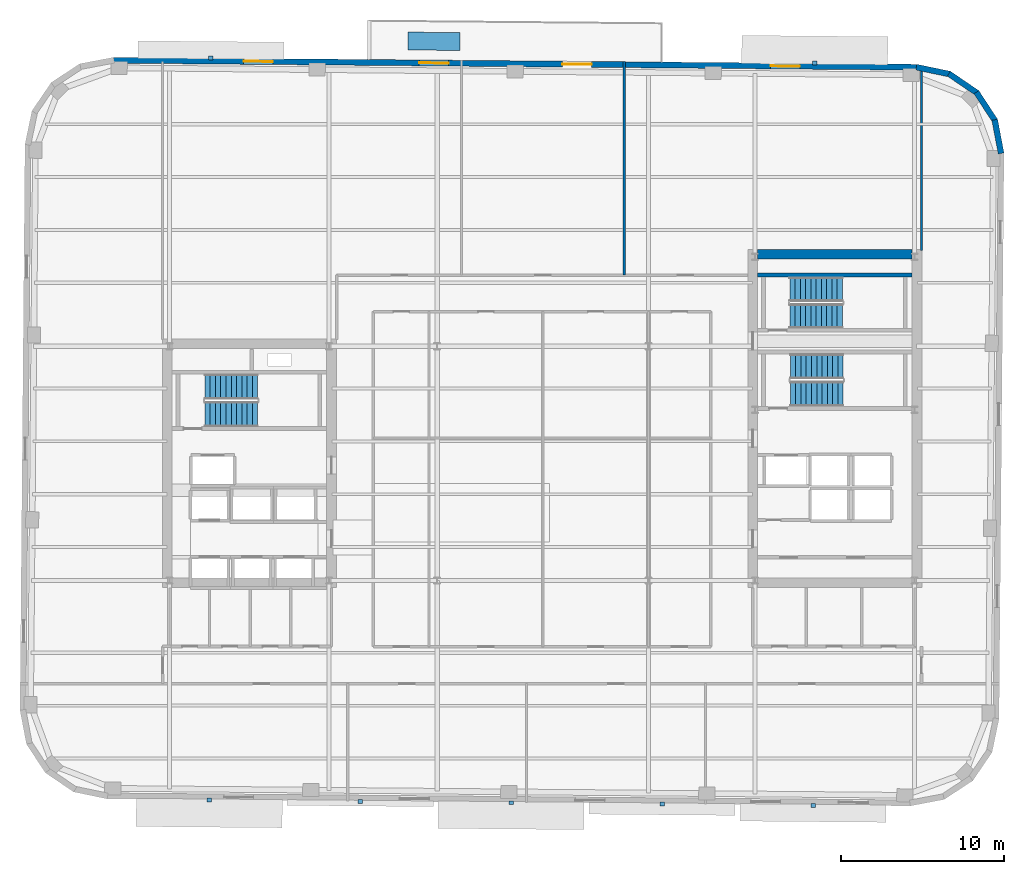
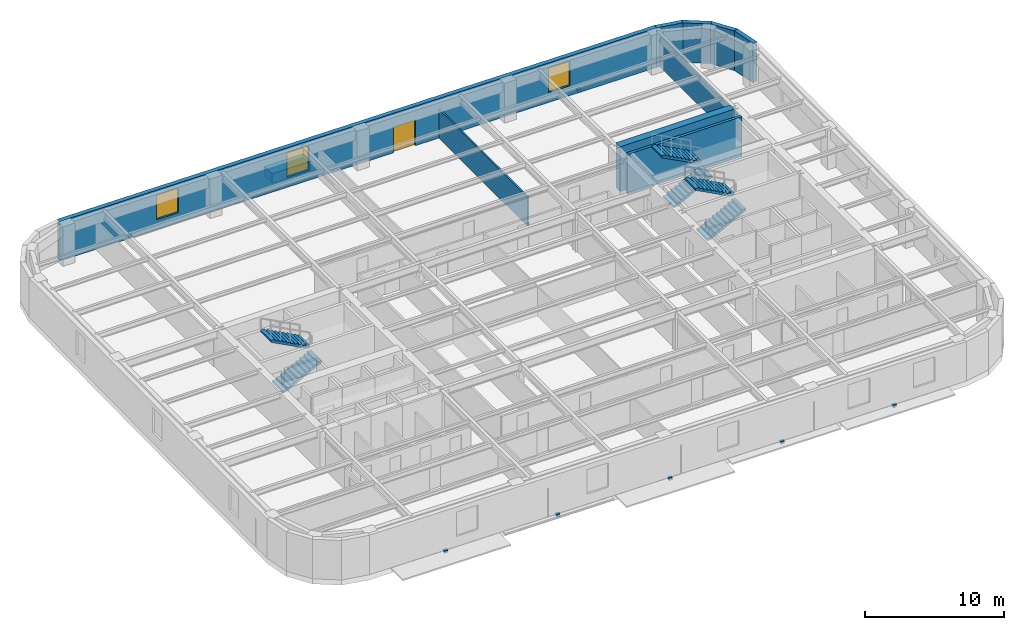
# One storey, part 7 of 11: 9 walls, 8 discrete accessories, 6 stair flights, 3 windows, 1 door, 4 openings, 3 elements without a shape of their own.
"""IFC4 building model written with IfcOpenShell, lengths in metres."""

from ifc_helpers import new_model, si_unit, direction, frame, frame_2d, origin, origin_2d, place, context, subcontext, project, spatial, polyline, rectangle, outline, extrude, material, layer, layer_set, type_object, element, fill, aggregate, save


model = new_model("IFC4")

# Units and contexts
model_context = context("Model", 3, precision=1e-05, world=origin(), true_north=direction((0.0, 1.0)))
body_context = subcontext(model_context, "Body", "Model", "MODEL_VIEW")
ifc_project = project(units=[si_unit("LENGTHUNIT", "METRE"), si_unit("AREAUNIT", "SQUARE_METRE"), si_unit("VOLUMEUNIT", "CUBIC_METRE"), si_unit("PLANEANGLEUNIT", "RADIAN"), si_unit("MASSUNIT", "GRAM", prefix="KILO")], contexts=[model_context])

# Site, building, storey
site_placement = place(None, origin())
site = spatial("IfcSite", under=ifc_project, at=site_placement, CompositionType="ELEMENT")
building_placement = place(site_placement, origin())
building = spatial("IfcBuilding", under=site, at=building_placement, Name="Kolvaren Arena Tower", CompositionType="ELEMENT")
storey_placement = place(building_placement, frame((0.0, 0.0, 158.449951171875)))
storey = spatial("IfcBuildingStorey", under=building, at=storey_placement, Name="L37", CompositionType="ELEMENT", Elevation=158.449951171875)

# Walls
ifc_material_1 = material(Name="Concrete 60 MPa", Category="concrete")
ifc_layer_1 = layer(ifc_material_1, 0.60009765625)
ifc_layer_set_1 = layer_set([ifc_layer_1], Name="Concrete 60 MPa")
wall_type_1 = type_object("IfcWallType", Name="CWALL-600", PredefinedType="SHEAR", material=ifc_layer_set_1)
wall_1_placement = place(storey_placement, frame((50.699951171875, 39.5, -0.449951171875), z_axis=(0.0, 0.0, 1.0), x_axis=(1.0, 0.0, 0.0)))
element("IfcWall", 1, at=wall_1_placement, inside=storey, type_object=wall_type_1, Name="Core Shear Wall EC-NORTH (L37)", PredefinedType="SHEAR", context=body_context, shape_type="SweptSolid", body=[
    extrude(rectangle(XDim=9.5, YDim=0.60009765625, at=frame_2d((4.75, 0.0))), origin(), (0.0, 0.0, 1.0), 3.929931640625),
])
ifc_material_2 = material(Name="Precast concrete C50/60", Category="concrete")
ifc_layer_2 = layer(ifc_material_2, 0.360107421875)
ifc_layer_set_2 = layer_set([ifc_layer_2], Name="Precast concrete C50/60")
wall_type_2 = type_object("IfcWallType", Name="EXT-PIER2", PredefinedType="SOLIDWALL", material=ifc_layer_set_2)
wall_2_placement = place(storey_placement, frame((65.281005859375, 47.773193359375, 0.0), z_axis=(0.0, 0.0, 1.0), x_axis=(0.186435855703, -0.98246713518, 0.0)))
element("IfcWall", 2, at=wall_2_placement, inside=storey, type_object=wall_type_2, Name="Exterior Precast Masonry-Frame Wall (L37)", PredefinedType="SOLIDWALL", context=body_context, shape_type="SweptSolid", body=[
    extrude(rectangle(XDim=2.10693359375, YDim=0.360107421875, at=frame_2d((1.053466796875, 0.0))), origin(), (0.0, 0.0, 1.0), 3.47998046875),
])
wall_3_placement = place(storey_placement, frame((64.152099609375, 49.469970703125, 0.0), z_axis=(0.0, 0.0, 1.0), x_axis=(0.548238722478, -0.83632188969, 0.0)))
element("IfcWall", 3, at=wall_3_placement, inside=storey, type_object=wall_type_2, Name="Exterior Precast Masonry-Frame Wall (L37)", PredefinedType="SOLIDWALL", context=body_context, shape_type="SweptSolid", body=[
    extrude(rectangle(XDim=2.106689453125, YDim=0.360107421875, at=frame_2d((1.05322265625, 0.0))), origin(), (0.0, 0.0, 1.0), 3.47998046875),
])
wall_4_placement = place(storey_placement, frame((62.45947265625, 50.605712890625, 0.0), z_axis=(0.0, 0.0, 1.0), x_axis=(0.826609569219, -0.56277581689, 0.0)))
element("IfcWall", 4, at=wall_4_placement, inside=storey, type_object=wall_type_2, Name="Exterior Precast Masonry-Frame Wall (L37)", PredefinedType="SOLIDWALL", context=body_context, shape_type="SweptSolid", body=[
    extrude(rectangle(XDim=2.10693359375, YDim=0.360107421875, at=frame_2d((1.053466796875, 0.0))), origin(), (0.0, 0.0, 1.0), 3.47998046875),
])
wall_5_placement = place(storey_placement, frame((60.461181640625, 51.00732421875, 0.0), z_axis=(0.0, 0.0, 1.0), x_axis=(0.979059388908, -0.203574833883, 0.0)))
element("IfcWall", 5, at=wall_5_placement, inside=storey, type_object=wall_type_2, Name="Exterior Precast Masonry-Frame Wall (L37)", PredefinedType="SOLIDWALL", context=body_context, shape_type="SweptSolid", body=[
    extrude(rectangle(XDim=2.107177734375, YDim=0.360107421875, at=frame_2d((1.0537109375, 0.0))), origin(), (0.0, 0.0, 1.0), 3.47998046875),
])

# Wall, openings, door, windows
wall_6_placement = place(storey_placement, frame((11.098388671875, 51.434814453125, 0.0), z_axis=(0.0, 0.0, 1.0), x_axis=(0.99996191194, -0.008727810138, 0.0)))
wall_6 = element("IfcWall", 6, at=wall_6_placement, inside=storey, type_object=wall_type_2, Name="Exterior Precast Masonry-Frame Wall (L37)", PredefinedType="SOLIDWALL", context=body_context, shape_type="SweptSolid", body=[
    extrude(rectangle(XDim=49.39990234375, YDim=0.360107421875, at=frame_2d((24.699951171875, 0.0))), origin(), (0.0, 0.0, 1.0), 3.47998046875),
])
opening_1_placement = place(wall_6_placement, frame((27.60009765625, 0.0, 0.0)))
opening_1 = element("IfcOpeningElement", 7, at=opening_1_placement, cuts=wall_6, Name="Opening D10", PredefinedType="OPENING", context=body_context, shape_type="SweptSolid", body=[
    extrude(rectangle(XDim=1.800048828125, YDim=2.25, at=frame_2d((0.89990234375, 1.125))), frame((0.0, 0.18994140625, 0.0), z_axis=(0.0, -1.0, 0.0), x_axis=(1.0, 0.0, 0.0)), (0.0, 0.0, 1.0), 0.380126953125),
])
opening_2_placement = place(wall_6_placement, frame((8.0, 0.0, 0.8798828125)))
opening_2 = element("IfcOpeningElement", 8, at=opening_2_placement, cuts=wall_6, Name="Opening W02", PredefinedType="OPENING", context=body_context, shape_type="SweptSolid", body=[
    extrude(rectangle(XDim=1.800048828125, YDim=2.14990234375, at=frame_2d((0.89990234375, 1.074951171875))), frame((0.0, 0.18994140625, 0.0), z_axis=(0.0, -1.0, 0.0), x_axis=(1.0, 0.0, 0.0)), (0.0, 0.0, 1.0), 0.380126953125),
])
opening_3_placement = place(wall_6_placement, frame((18.800048828125, 0.0, 0.8798828125)))
opening_3 = element("IfcOpeningElement", 9, at=opening_3_placement, cuts=wall_6, Name="Opening W02", PredefinedType="OPENING", context=body_context, shape_type="SweptSolid", body=[
    extrude(rectangle(XDim=1.800048828125, YDim=2.14990234375, at=frame_2d((0.89990234375, 1.074951171875))), frame((0.0, 0.18994140625, 0.0), z_axis=(0.0, -1.0, 0.0), x_axis=(1.0, 0.0, 0.0)), (0.0, 0.0, 1.0), 0.380126953125),
])
opening_4_placement = place(wall_6_placement, frame((40.39990234375, 0.0, 0.8798828125)))
opening_4 = element("IfcOpeningElement", 10, at=opening_4_placement, cuts=wall_6, Name="Opening W02", PredefinedType="OPENING", context=body_context, shape_type="SweptSolid", body=[
    extrude(rectangle(XDim=1.800048828125, YDim=2.14990234375, at=frame_2d((0.89990234375, 1.074951171875))), frame((0.0, 0.18994140625, 0.0), z_axis=(0.0, -1.0, 0.0), x_axis=(1.0, 0.0, 0.0)), (0.0, 0.0, 1.0), 0.380126953125),
])
ifc_material_3 = material(Name="Thermally broken glazed terrace door", Category="aluminium")
door_type = type_object("IfcDoorType", Name="DOOR-TR-180", OperationType="DOUBLE_DOOR_SINGLE_SWING", PredefinedType="DOOR", material=ifc_material_3)
door_placement = place(opening_1_placement, origin())
door = element("IfcDoor", 11, at=door_placement, inside=storey, type_object=door_type, Name="Setback Roof Terrace Access Door (L37)", OperationType="DOUBLE_DOOR_SINGLE_SWING", OverallHeight=2.25, OverallWidth=1.800048828125, PredefinedType="DOOR", context=body_context, shape_type="SweptSolid", body=[
    extrude(rectangle(XDim=1.800048828125, YDim=2.25, at=frame_2d((0.89990234375, 1.125))), frame((0.0, 0.02490234375, 0.0), z_axis=(0.0, -1.0, 0.0), x_axis=(1.0, 0.0, 0.0)), (0.0, 0.0, 1.0), 0.050048828125),
])
fill(opening_1, door)
ifc_material_4 = material(Name="Triple-glazed low-E aluminium window", Category="aluminium")
window_type = type_object("IfcWindowType", Name="WIN-OFF-B", PartitioningType="DOUBLE_PANEL_VERTICAL", PredefinedType="WINDOW", material=ifc_material_4)
window_1_placement = place(opening_2_placement, origin())
window_1 = element("IfcWindow", 12, at=window_1_placement, inside=storey, type_object=window_type, Name="Punched Precast-Pier Window (L37)", OverallHeight=2.14990234375, OverallWidth=1.800048828125, PartitioningType="DOUBLE_PANEL_VERTICAL", PredefinedType="WINDOW", context=body_context, shape_type="SweptSolid", body=[
    extrude(rectangle(XDim=1.800048828125, YDim=2.14990234375, at=frame_2d((0.89990234375, 1.074951171875))), frame((0.0, 0.030029296875, 0.0), z_axis=(0.0, -1.0, 0.0), x_axis=(1.0, 0.0, 0.0)), (0.0, 0.0, 1.0), 0.06005859375),
])
fill(opening_2, window_1)
window_2_placement = place(opening_3_placement, origin())
window_2 = element("IfcWindow", 13, at=window_2_placement, inside=storey, type_object=window_type, Name="Punched Precast-Pier Window (L37)", OverallHeight=2.14990234375, OverallWidth=1.800048828125, PartitioningType="DOUBLE_PANEL_VERTICAL", PredefinedType="WINDOW", context=body_context, shape_type="SweptSolid", body=[
    extrude(rectangle(XDim=1.800048828125, YDim=2.14990234375, at=frame_2d((0.89990234375, 1.074951171875))), frame((0.0, 0.030029296875, 0.0), z_axis=(0.0, -1.0, 0.0), x_axis=(1.0, 0.0, 0.0)), (0.0, 0.0, 1.0), 0.06005859375),
])
fill(opening_3, window_2)
window_3_placement = place(opening_4_placement, origin())
window_3 = element("IfcWindow", 14, at=window_3_placement, inside=storey, type_object=window_type, Name="Punched Precast-Pier Window (L37)", OverallHeight=2.14990234375, OverallWidth=1.800048828125, PartitioningType="DOUBLE_PANEL_VERTICAL", PredefinedType="WINDOW", context=body_context, shape_type="SweptSolid", body=[
    extrude(rectangle(XDim=1.800048828125, YDim=2.14990234375, at=frame_2d((0.89990234375, 1.074951171875))), frame((0.0, 0.030029296875, 0.0), z_axis=(0.0, -1.0, 0.0), x_axis=(1.0, 0.0, 0.0)), (0.0, 0.0, 1.0), 0.06005859375),
])
fill(opening_4, window_3)

# Walls
ifc_material_5 = material(Name="Gypsum board partition assembly", Category="gypsum")
ifc_layer_3 = layer(ifc_material_5, 0.135009765625)
ifc_layer_set_3 = layer_set([ifc_layer_3], Name="Gypsum board partition assembly")
wall_type_3 = type_object("IfcWallType", Name="PART-135", PredefinedType="PARTITIONING", material=ifc_layer_set_3)
wall_7_placement = place(storey_placement, frame((42.5, 38.219970703125, 0.0), z_axis=(0.0, 0.0, 1.0), x_axis=(0.0, 1.0, 0.0)))
element("IfcWall", 15, at=wall_7_placement, inside=storey, type_object=wall_type_3, Name="Interior Partition Wall (L37)", PredefinedType="PARTITIONING", context=body_context, shape_type="SweptSolid", body=[
    extrude(rectangle(XDim=13.120849609375, YDim=0.135009765625, at=frame_2d((6.560546875, 0.0))), origin(), (0.0, 0.0, 1.0), 2.5400390625),
])
wall_8_placement = place(storey_placement, frame((60.780029296875, 39.75, 0.0), z_axis=(0.0, 0.0, 1.0), x_axis=(0.0, 1.0, 0.0)))
element("IfcWall", 16, at=wall_8_placement, inside=storey, type_object=wall_type_3, Name="Interior Partition Wall (L37)", PredefinedType="PARTITIONING", context=body_context, shape_type="SweptSolid", body=[
    extrude(rectangle(XDim=11.1298828125, YDim=0.135009765625, at=frame_2d((5.56494140625, 0.0))), origin(), (0.0, 0.0, 1.0), 2.5400390625),
])
ifc_material_6 = material(Name="Concrete 45 MPa", Category="concrete")
ifc_layer_4 = layer(ifc_material_6, 0.25)
ifc_layer_set_4 = layer_set([ifc_layer_4], Name="Concrete 45 MPa")
wall_type_4 = type_object("IfcWallType", Name="SHAFT-250", PredefinedType="SOLIDWALL", material=ifc_layer_set_4)
wall_9_placement = place(storey_placement, frame((50.699951171875, 38.219970703125, 0.0), z_axis=(0.0, 0.0, 1.0), x_axis=(1.0, 0.0, 0.0)))
element("IfcWall", 17, at=wall_9_placement, inside=storey, type_object=wall_type_4, Name="Core Shaft Wall (L37)", PredefinedType="SOLIDWALL", context=body_context, shape_type="SweptSolid", body=[
    extrude(rectangle(XDim=9.5, YDim=0.239990234375, at=frame_2d((4.75, 0.0))), origin(), (0.0, 0.0, 1.0), 3.47998046875),
])

# Stair, stair flights
stair_type_1 = type_object("IfcStairType", Name="STAIR-CORE-150", PredefinedType="HALF_TURN_STAIR", material=ifc_material_6)
stair_1_placement = place(storey_placement, origin())
stair_1 = element("IfcStair", 18, at=stair_1_placement, inside=storey, type_object=stair_type_1, Name="L37 ST-E2", PredefinedType="HALF_TURN_STAIR")
stair_flight_type_1 = type_object("IfcStairFlightType", Name="FLT-150", PredefinedType="STRAIGHT", material=ifc_material_6)
stair_flight_1_placement = place(storey_placement, frame((52.679931640625, 35.699951171875, 0.0), z_axis=(0.0, 0.0, 1.0), x_axis=(1.0, 0.0, 0.0)))
stair_flight_1 = element("IfcStairFlight", 19, at=stair_flight_1_placement, type_object=stair_flight_type_1, Name="ST-E2 flight 1", NumberOfRisers=11, NumberOfTreads=10, PredefinedType="STRAIGHT", RiserHeight=0.170454545, TreadLength=0.324, context=body_context, shape_type="SweptSolid", body=[
    extrude(outline(polyline([(0.0, 0.0), (0.0, 0.17041015625), (0.323974609375, 0.17041015625), (0.323974609375, 0.3408203125), (0.64794921875, 0.3408203125), (0.64794921875, 0.511474609375), (0.971923828125, 0.511474609375), (0.971923828125, 0.681884765625), (1.2958984375, 0.681884765625), (1.2958984375, 0.852294921875), (1.6201171875, 0.852294921875), (1.6201171875, 1.022705078125), (1.944091796875, 1.022705078125), (1.944091796875, 1.193115234375), (2.26806640625, 1.193115234375), (2.26806640625, 1.363525390625), (2.592041015625, 1.363525390625), (2.592041015625, 1.5341796875), (2.916015625, 1.5341796875), (2.916015625, 1.70458984375), (3.239990234375, 1.70458984375), (3.239990234375, 1.875), (3.239990234375, 1.53515625), (0.322021484375, 0.0), (0.0, 0.0)])), frame((0.0, 0.75, 0.0), z_axis=(0.0, -1.0, 0.0), x_axis=(1.0, 0.0, 0.0)), (0.0, 0.0, 1.0), 1.5),
])
stair_flight_2_placement = place(storey_placement, frame((55.919921875, 37.35009765625, 1.875), z_axis=(0.0, 0.0, 1.0), x_axis=(-1.0, 0.0, 0.0)))
stair_flight_2 = element("IfcStairFlight", 20, at=stair_flight_2_placement, type_object=stair_flight_type_1, Name="ST-E2 flight 2", NumberOfRisers=11, NumberOfTreads=10, PredefinedType="STRAIGHT", RiserHeight=0.170454545, TreadLength=0.324, context=body_context, shape_type="SweptSolid", body=[
    extrude(outline(polyline([(0.0, 0.0), (0.0, 0.17041015625), (0.323974609375, 0.17041015625), (0.323974609375, 0.3408203125), (0.64794921875, 0.3408203125), (0.64794921875, 0.511474609375), (0.971923828125, 0.511474609375), (0.971923828125, 0.681884765625), (1.2958984375, 0.681884765625), (1.2958984375, 0.852294921875), (1.6201171875, 0.852294921875), (1.6201171875, 1.022705078125), (1.944091796875, 1.022705078125), (1.944091796875, 1.193115234375), (2.26806640625, 1.193115234375), (2.26806640625, 1.363525390625), (2.592041015625, 1.363525390625), (2.592041015625, 1.5341796875), (2.916015625, 1.5341796875), (2.916015625, 1.70458984375), (3.239990234375, 1.70458984375), (3.239990234375, 1.875), (3.239990234375, 1.53515625), (0.322021484375, 0.0), (0.0, 0.0)])), frame((0.0, 0.75, 0.0), z_axis=(0.0, -1.0, 0.0), x_axis=(1.0, 0.0, 0.0)), (0.0, 0.0, 1.0), 1.5),
])
aggregate(stair_1, [stair_flight_1, stair_flight_2])

stair_type_2 = type_object("IfcStairType", Name="STAIR-CORE-165", PredefinedType="HALF_TURN_STAIR", material=ifc_material_6)
stair_2_placement = place(storey_placement, origin())
stair_2 = element("IfcStair", 21, at=stair_2_placement, inside=storey, type_object=stair_type_2, Name="L37 ST-W1", PredefinedType="HALF_TURN_STAIR")
stair_flight_type_2 = type_object("IfcStairFlightType", Name="FLT-165", PredefinedType="STRAIGHT", material=ifc_material_6)
stair_flight_3_placement = place(storey_placement, frame((16.719970703125, 29.669921875, 0.0), z_axis=(0.0, 0.0, 1.0), x_axis=(1.0, 0.0, 0.0)))
stair_flight_3 = element("IfcStairFlight", 22, at=stair_flight_3_placement, type_object=stair_flight_type_2, Name="ST-W1 flight 1", NumberOfRisers=11, NumberOfTreads=10, PredefinedType="STRAIGHT", RiserHeight=0.170454545, TreadLength=0.324, context=body_context, shape_type="SweptSolid", body=[
    extrude(outline(polyline([(0.0, 0.0), (0.0, 0.17041015625), (0.323974609375, 0.17041015625), (0.323974609375, 0.3408203125), (0.64794921875, 0.3408203125), (0.64794921875, 0.511474609375), (0.971923828125, 0.511474609375), (0.971923828125, 0.681884765625), (1.2958984375, 0.681884765625), (1.2958984375, 0.852294921875), (1.6201171875, 0.852294921875), (1.6201171875, 1.022705078125), (1.944091796875, 1.022705078125), (1.944091796875, 1.193115234375), (2.26806640625, 1.193115234375), (2.26806640625, 1.363525390625), (2.592041015625, 1.363525390625), (2.592041015625, 1.5341796875), (2.916015625, 1.5341796875), (2.916015625, 1.70458984375), (3.239990234375, 1.70458984375), (3.239990234375, 1.875), (3.239990234375, 1.53515625), (0.322021484375, 0.0), (0.0, 0.0)])), frame((0.0, 0.77001953125, 0.0), z_axis=(0.0, -1.0, 0.0), x_axis=(1.0, 0.0, 0.0)), (0.0, 0.0, 1.0), 1.5400390625),
])
stair_flight_4_placement = place(storey_placement, frame((19.9599609375, 31.360107421875, 1.875), z_axis=(0.0, 0.0, 1.0), x_axis=(-1.0, 0.0, 0.0)))
stair_flight_4 = element("IfcStairFlight", 23, at=stair_flight_4_placement, type_object=stair_flight_type_2, Name="ST-W1 flight 2", NumberOfRisers=11, NumberOfTreads=10, PredefinedType="STRAIGHT", RiserHeight=0.170454545, TreadLength=0.324, context=body_context, shape_type="SweptSolid", body=[
    extrude(outline(polyline([(0.0, 0.0), (0.0, 0.17041015625), (0.323974609375, 0.17041015625), (0.323974609375, 0.3408203125), (0.64794921875, 0.3408203125), (0.64794921875, 0.511474609375), (0.971923828125, 0.511474609375), (0.971923828125, 0.681884765625), (1.2958984375, 0.681884765625), (1.2958984375, 0.852294921875), (1.6201171875, 0.852294921875), (1.6201171875, 1.022705078125), (1.944091796875, 1.022705078125), (1.944091796875, 1.193115234375), (2.26806640625, 1.193115234375), (2.26806640625, 1.363525390625), (2.592041015625, 1.363525390625), (2.592041015625, 1.5341796875), (2.916015625, 1.5341796875), (2.916015625, 1.70458984375), (3.239990234375, 1.70458984375), (3.239990234375, 1.875), (3.239990234375, 1.53515625), (0.322021484375, 0.0), (0.0, 0.0)])), frame((0.0, 0.77001953125, 0.0), z_axis=(0.0, -1.0, 0.0), x_axis=(1.0, 0.0, 0.0)), (0.0, 0.0, 1.0), 1.5400390625),
])
aggregate(stair_2, [stair_flight_3, stair_flight_4])

stair_3_placement = place(storey_placement, origin())
stair_3 = element("IfcStair", 24, at=stair_3_placement, inside=storey, type_object=stair_type_2, Name="L37 ST-E1", PredefinedType="HALF_TURN_STAIR")
stair_flight_5_placement = place(storey_placement, frame((52.719970703125, 30.919921875, 0.0), z_axis=(0.0, 0.0, 1.0), x_axis=(1.0, 0.0, 0.0)))
stair_flight_5 = element("IfcStairFlight", 25, at=stair_flight_5_placement, type_object=stair_flight_type_2, Name="ST-E1 flight 1", NumberOfRisers=11, NumberOfTreads=10, PredefinedType="STRAIGHT", RiserHeight=0.170454545, TreadLength=0.324, context=body_context, shape_type="SweptSolid", body=[
    extrude(outline(polyline([(0.0, 0.0), (0.0, 0.17041015625), (0.323974609375, 0.17041015625), (0.323974609375, 0.3408203125), (0.64794921875, 0.3408203125), (0.64794921875, 0.511474609375), (0.971923828125, 0.511474609375), (0.971923828125, 0.681884765625), (1.2958984375, 0.681884765625), (1.2958984375, 0.852294921875), (1.6201171875, 0.852294921875), (1.6201171875, 1.022705078125), (1.944091796875, 1.022705078125), (1.944091796875, 1.193115234375), (2.26806640625, 1.193115234375), (2.26806640625, 1.363525390625), (2.592041015625, 1.363525390625), (2.592041015625, 1.5341796875), (2.916015625, 1.5341796875), (2.916015625, 1.70458984375), (3.239990234375, 1.70458984375), (3.239990234375, 1.875), (3.239990234375, 1.53515625), (0.322021484375, 0.0), (0.0, 0.0)])), frame((0.0, 0.77001953125, 0.0), z_axis=(0.0, -1.0, 0.0), x_axis=(1.0, 0.0, 0.0)), (0.0, 0.0, 1.0), 1.5400390625),
])
stair_flight_6_placement = place(storey_placement, frame((55.9599609375, 32.610107421875, 1.875), z_axis=(0.0, 0.0, 1.0), x_axis=(-1.0, 0.0, 0.0)))
stair_flight_6 = element("IfcStairFlight", 26, at=stair_flight_6_placement, type_object=stair_flight_type_2, Name="ST-E1 flight 2", NumberOfRisers=11, NumberOfTreads=10, PredefinedType="STRAIGHT", RiserHeight=0.170454545, TreadLength=0.324, context=body_context, shape_type="SweptSolid", body=[
    extrude(outline(polyline([(0.0, 0.0), (0.0, 0.17041015625), (0.323974609375, 0.17041015625), (0.323974609375, 0.3408203125), (0.64794921875, 0.3408203125), (0.64794921875, 0.511474609375), (0.971923828125, 0.511474609375), (0.971923828125, 0.681884765625), (1.2958984375, 0.681884765625), (1.2958984375, 0.852294921875), (1.6201171875, 0.852294921875), (1.6201171875, 1.022705078125), (1.944091796875, 1.022705078125), (1.944091796875, 1.193115234375), (2.26806640625, 1.193115234375), (2.26806640625, 1.363525390625), (2.592041015625, 1.363525390625), (2.592041015625, 1.5341796875), (2.916015625, 1.5341796875), (2.916015625, 1.70458984375), (3.239990234375, 1.70458984375), (3.239990234375, 1.875), (3.239990234375, 1.53515625), (0.322021484375, 0.0), (0.0, 0.0)])), frame((0.0, 0.77001953125, 0.0), z_axis=(0.0, -1.0, 0.0), x_axis=(1.0, 0.0, 0.0)), (0.0, 0.0, 1.0), 1.5400390625),
])
aggregate(stair_3, [stair_flight_5, stair_flight_6])

# Discrete accessories
ifc_material_7 = material(Name="Stainless steel facade support bracket", Category="steel")
discrete_accessory_type_1 = type_object("IfcDiscreteAccessoryType", Name="ACC-BRKT-1", PredefinedType="BRACKET", material=ifc_material_7)
for number, where, z_axis, x_axis, name in (
    (27, (17.08984375, 51.58251953125, -0.18017578125), (0.0, 0.0, 1.0), (0.999961923064, -0.008726535498, 0.0), "Sunshade Support Bracket (L37)"),
    (28, (54.20849609375, 51.258544921875, -0.18017578125), (0.0, 0.0, 1.0), (0.999961923064, -0.008726535498, 0.0), "Sunshade Support Bracket (L37)"),
    (29, (54.110107421875, 5.61767578125, -0.18017578125), (0.0, 0.0, 1.0), (-0.999961923064, 0.008726535498, 0.0), "Sunshade Support Bracket (L37)"),
    (30, (44.83056640625, 5.698486328125, -0.18017578125), (0.0, 0.0, 1.0), (-0.999961923064, 0.008726535498, 0.0), "Sunshade Support Bracket (L37)"),
    (31, (35.55078125, 5.779541015625, -0.18017578125), (0.0, 0.0, 1.0), (-0.999961923064, 0.008726535498, 0.0), "Sunshade Support Bracket (L37)"),
    (32, (26.271240234375, 5.860595703125, -0.18017578125), (0.0, 0.0, 1.0), (-0.999961923064, 0.008726535498, 0.0), "Sunshade Support Bracket (L37)"),
    (33, (16.99169921875, 5.94140625, -0.18017578125), (0.0, 0.0, 1.0), (-0.999961923064, 0.008726535498, 0.0), "Sunshade Support Bracket (L37)"),
):
    element("IfcDiscreteAccessory", number, at=place(storey_placement, frame(where, z_axis=z_axis, x_axis=x_axis)), inside=storey, type_object=discrete_accessory_type_1, Name=name, PredefinedType="BRACKET", context=body_context, shape_type="SweptSolid", body=[
        extrude(rectangle(XDim=0.280029296875, YDim=0.239990234375, at=origin_2d()), origin(), (0.0, 0.0, 1.0), 0.239990234375),
    ])
ifc_material_8 = material(Name="Precast concrete C45/55 structural planter with planting soil", Category="concrete")
discrete_accessory_type_2 = type_object("IfcDiscreteAccessoryType", Name="ACC-PLNT-1", PredefinedType="USERDEFINED", material=ifc_material_8)
discrete_accessory_placement = place(storey_placement, frame((30.809326171875, 52.59912109375, 0.0), z_axis=(0.0, 0.0, 1.0), x_axis=(0.999961923064, -0.008726535498, 0.0)))
element("IfcDiscreteAccessory", 34, at=discrete_accessory_placement, inside=storey, type_object=discrete_accessory_type_2, Name="Planted Terrace Soil Planter (L37)", ObjectType="PLANTER", PredefinedType="USERDEFINED", context=body_context, shape_type="SweptSolid", body=[
    extrude(rectangle(XDim=3.199951171875, YDim=1.10009765625, at=origin_2d()), origin(), (0.0, 0.0, 1.0), 0.85009765625),
])

save(model, "model.ifc")
